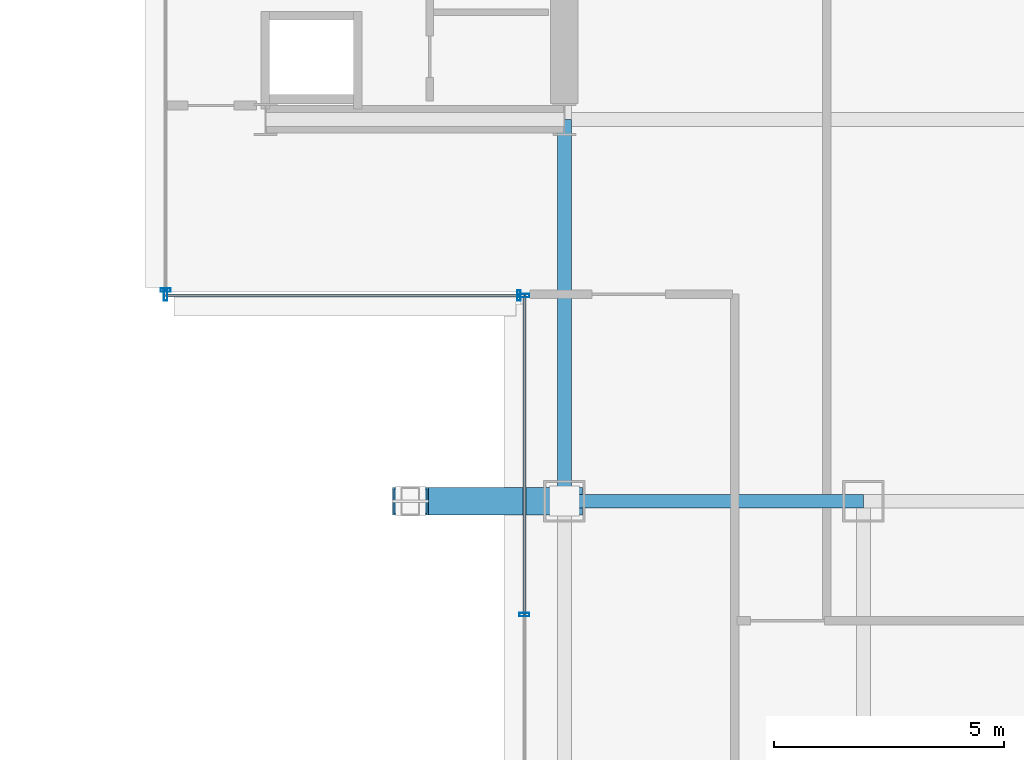
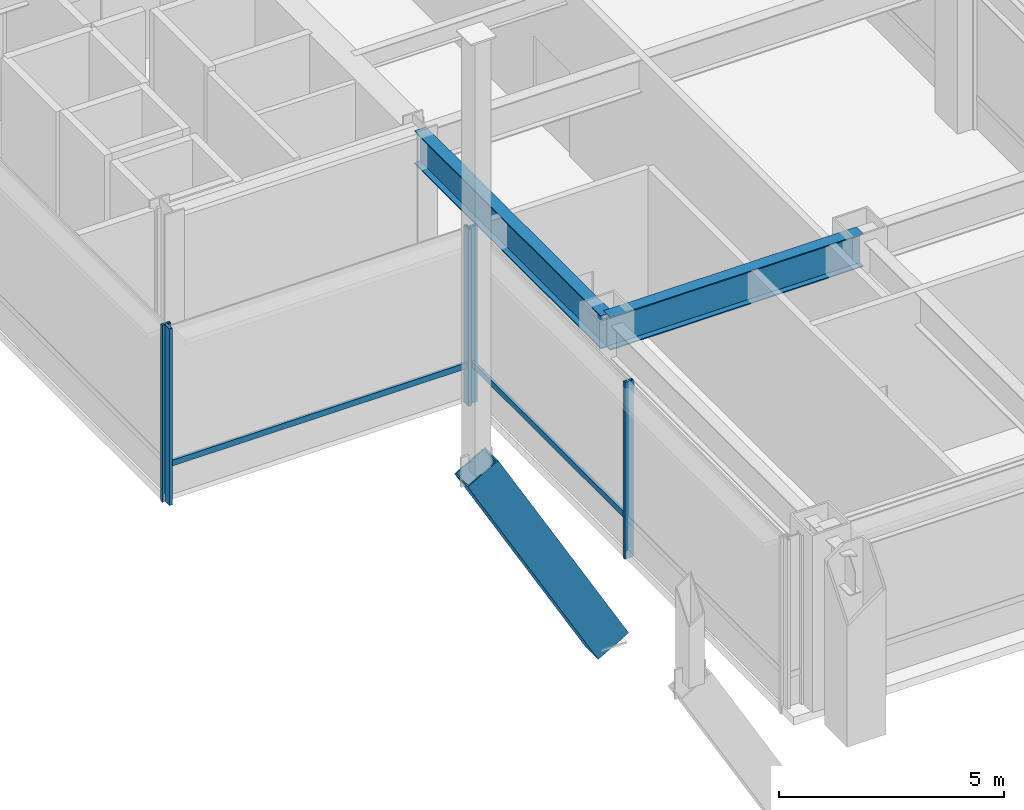
# One storey, part 10 of 40: 8 members, 2 beams, 3 elements without a shape of their own.
"""IFC4 building model written with IfcOpenShell, lengths in metres."""

from ifc_helpers import new_model, si_unit, direction, frame, origin, origin_2d, place, context, subcontext, project, spatial, hollow_rectangle, i_section, extrude, material, layer, layer_set, material_profile, profile_set, type_object, element, aggregate, save


model = new_model("IFC4")

# Units and contexts
model_context = context("Model", 3, precision=1e-05, world=origin(), true_north=direction((0.0, 1.0)))
body_context = subcontext(model_context, "Body", "Model", "MODEL_VIEW")
ifc_project = project(units=[si_unit("LENGTHUNIT", "METRE"), si_unit("AREAUNIT", "SQUARE_METRE"), si_unit("VOLUMEUNIT", "CUBIC_METRE"), si_unit("PLANEANGLEUNIT", "RADIAN"), si_unit("MASSUNIT", "GRAM", prefix="KILO")], contexts=[model_context])

# Site, building, storey
site_placement = place(None, origin())
site = spatial("IfcSite", under=ifc_project, at=site_placement, CompositionType="ELEMENT")
building_placement = place(site_placement, origin())
building = spatial("IfcBuilding", under=site, at=building_placement, Name="Brelmoor Portico Tower", CompositionType="ELEMENT")
storey_placement = place(building_placement, frame((0.0, 0.0, 4.800048828125)))
storey = spatial("IfcBuildingStorey", under=building, at=storey_placement, Name="L01", CompositionType="ELEMENT", Elevation=4.800048828125)

# Beams
ifc_material_1 = material(Name="Steel Q355B", Category="steel")
ifc_material_profile_1 = material_profile(ifc_material_1, i_section(OverallWidth=0.300048828125, OverallDepth=0.89990234375, WebThickness=0.01611328125, FlangeThickness=0.028076171875, at=origin_2d()), Name="HN 900x300x16x28")
ifc_profile_set_1 = profile_set([ifc_material_profile_1], Name="Steel Q355B")
beam_type = type_object("IfcBeamType", Name="BM-PG-900", PredefinedType="BEAM", material=ifc_profile_set_1)
beam_1_placement = place(storey_placement, frame((14.550048828125, -18.050048828125, 4.1298828125), z_axis=(0.0, 1.0, 0.0), x_axis=(-1.0, 0.0, 0.0)))
element("IfcBeam", 1, at=beam_1_placement, inside=storey, type_object=beam_type, Name="L01 Primary Floor Girder PG-13", PredefinedType="BEAM", context=body_context, shape_type="SweptSolid", body=[
    extrude(i_section(OverallWidth=0.300048828125, OverallDepth=0.89990234375, WebThickness=0.01611328125, FlangeThickness=0.028076171875, at=origin_2d()), origin(), (0.0, 0.0, 1.0), 8.300048828125),
])
beam_2_placement = place(storey_placement, frame((14.550048828125, -18.050048828125, 4.1298828125), z_axis=(1.0, 0.0, 0.0), x_axis=(0.0, 1.0, 0.0)))
element("IfcBeam", 2, at=beam_2_placement, inside=storey, type_object=beam_type, Name="L01 Primary Floor Girder PG-23", PredefinedType="BEAM", context=body_context, shape_type="SweptSolid", body=[
    extrude(i_section(OverallWidth=0.300048828125, OverallDepth=0.89990234375, WebThickness=0.01611328125, FlangeThickness=0.028076171875, at=origin_2d()), origin(), (0.0, 0.0, 1.0), 6.5),
])

# Member
ifc_material_2 = material(Name="Steel Q420B", Category="steel")
ifc_material_profile_2 = material_profile(ifc_material_2, hollow_rectangle(XDim=0.60009765625, YDim=0.89990234375, WallThickness=0.035888671875, at=origin_2d()), Name="RHS 600x900x36")
ifc_profile_set_2 = profile_set([ifc_material_profile_2], Name="Steel Q420B")
member_type_1 = type_object("IfcMemberType", Name="MB-ARCH-RIB", PredefinedType="CHORD", material=ifc_profile_set_2)
member_1_placement = place(storey_placement, frame((11.199951171875, -18.050048828125, 1.599853515625), z_axis=(0.496957759354, 0.0, -0.867774731954), x_axis=(0.0, 1.0, 0.0)))
element("IfcMember", 3, at=member_1_placement, inside=storey, type_object=member_type_1, Name="Giant Portico Arch Rib S2-8", PredefinedType="CHORD", context=body_context, shape_type="SweptSolid", body=[
    extrude(hollow_rectangle(XDim=0.60009765625, YDim=0.89990234375, WallThickness=0.035888671875, at=origin_2d()), origin(), (0.0, 0.0, 1.0), 6.7412109375),
])

# Curtain wall, members
ifc_material_3 = material(Name="Anodised Aluminium Alloy 6063-T6", Category="aluminium")
ifc_layer = layer(ifc_material_3, 0.179931640625)
ifc_layer_set = layer_set([ifc_layer], Name="Anodised Aluminium Alloy 6063-T6")
curtain_wall_type = type_object("IfcCurtainWallType", Name="CW-PODIUM-ARCH", PredefinedType="NOTDEFINED", material=ifc_layer_set)
curtain_wall_1_placement = place(storey_placement, origin())
curtain_wall_1 = element("IfcCurtainWall", 4, at=curtain_wall_1_placement, inside=storey, type_object=curtain_wall_type, Name="L01 Curtain Wall CW-L01-08", PredefinedType="NOTDEFINED")
ifc_material_profile_3 = material_profile(ifc_material_3, hollow_rectangle(XDim=0.074951171875, YDim=0.219970703125, WallThickness=0.0048828125, at=origin_2d()), Name="ALU MULLION 75x220")
ifc_profile_set_3 = profile_set([ifc_material_profile_3], Name="Anodised Aluminium Alloy 6063-T6")
member_type_2 = type_object("IfcMemberType", Name="MB-CW-MULL-220", PredefinedType="MULLION", material=ifc_profile_set_3)
member_2_placement = place(storey_placement, frame((13.679931640625, -20.514892578125, -0.219970703125), z_axis=(0.0, 0.0, 1.0), x_axis=(0.0, 1.0, 0.0)))
member_2 = element("IfcMember", 5, at=member_2_placement, type_object=member_type_2, Name="CW-L01-08 Mullion 01", PredefinedType="MULLION", context=body_context, shape_type="SweptSolid", body=[
    extrude(hollow_rectangle(XDim=0.074951171875, YDim=0.219970703125, WallThickness=0.0048828125, at=origin_2d()), origin(), (0.0, 0.0, 1.0), 4.7998046875),
])
member_3_placement = place(storey_placement, frame((13.679931640625, -13.580078125, -0.219970703125), z_axis=(0.0, 0.0, 1.0), x_axis=(0.0, 1.0, 0.0)))
member_3 = element("IfcMember", 6, at=member_3_placement, type_object=member_type_2, Name="CW-L01-08 Mullion 02", PredefinedType="MULLION", context=body_context, shape_type="SweptSolid", body=[
    extrude(hollow_rectangle(XDim=0.074951171875, YDim=0.219970703125, WallThickness=0.0048828125, at=origin_2d()), origin(), (0.0, 0.0, 1.0), 4.7998046875),
])

curtain_wall_2_placement = place(storey_placement, origin())
curtain_wall_2 = element("IfcCurtainWall", 7, at=curtain_wall_2_placement, inside=storey, type_object=curtain_wall_type, Name="L01 Curtain Wall CW-L01-12", PredefinedType="NOTDEFINED")
member_4_placement = place(storey_placement, frame((5.8798828125, -13.580078125, -0.219970703125), z_axis=(0.0, 0.0, 1.0), x_axis=(1.0, 0.0, 0.0)))
member_4 = element("IfcMember", 8, at=member_4_placement, type_object=member_type_2, Name="CW-L01-12 Mullion 00", PredefinedType="MULLION", context=body_context, shape_type="SweptSolid", body=[
    extrude(hollow_rectangle(XDim=0.074951171875, YDim=0.219970703125, WallThickness=0.0048828125, at=origin_2d()), origin(), (0.0, 0.0, 1.0), 4.7998046875),
])
member_5_placement = place(storey_placement, frame((13.56005859375, -13.580078125, -0.219970703125), z_axis=(0.0, 0.0, 1.0), x_axis=(1.0, 0.0, 0.0)))
member_5 = element("IfcMember", 9, at=member_5_placement, type_object=member_type_2, Name="CW-L01-12 Mullion 01", PredefinedType="MULLION", context=body_context, shape_type="SweptSolid", body=[
    extrude(hollow_rectangle(XDim=0.074951171875, YDim=0.219970703125, WallThickness=0.0048828125, at=origin_2d()), origin(), (0.0, 0.0, 1.0), 4.7998046875),
])

# Curtain wall, member
curtain_wall_3_placement = place(storey_placement, origin())
curtain_wall_3 = element("IfcCurtainWall", 10, at=curtain_wall_3_placement, inside=storey, type_object=curtain_wall_type, Name="L01 Curtain Wall CW-L01-16", PredefinedType="NOTDEFINED")
member_6_placement = place(storey_placement, frame((5.8798828125, -13.4599609375, -0.219970703125), z_axis=(0.0, 0.0, 1.0), x_axis=(0.0, 1.0, 0.0)))
member_6 = element("IfcMember", 11, at=member_6_placement, type_object=member_type_2, Name="CW-L01-16 Mullion 00", PredefinedType="MULLION", context=body_context, shape_type="SweptSolid", body=[
    extrude(hollow_rectangle(XDim=0.074951171875, YDim=0.219970703125, WallThickness=0.0048828125, at=origin_2d()), origin(), (0.0, 0.0, 1.0), 4.7998046875),
])
aggregate(curtain_wall_3, [member_6])

# Member
ifc_material_profile_4 = material_profile(ifc_material_3, hollow_rectangle(XDim=0.070068359375, YDim=0.159912109375, WallThickness=0.00390625, at=origin_2d()), Name="ALU TRANSOM 70x160")
ifc_profile_set_4 = profile_set([ifc_material_profile_4], Name="Anodised Aluminium Alloy 6063-T6")
member_type_3 = type_object("IfcMemberType", Name="MB-CW-TRAN-160", PredefinedType="USERDEFINED", material=ifc_profile_set_4)
member_7_placement = place(storey_placement, frame((13.679931640625, -20.514892578125, 0.849853515625), z_axis=(0.0, 1.0, 0.0), x_axis=(-1.0, 0.0, 0.0)))
member_7 = element("IfcMember", 12, at=member_7_placement, type_object=member_type_3, Name="CW-L01-08 Transom 1-01", ObjectType="TRANSOM", PredefinedType="USERDEFINED", context=body_context, shape_type="SweptSolid", body=[
    extrude(hollow_rectangle(XDim=0.070068359375, YDim=0.159912109375, WallThickness=0.00390625, at=origin_2d()), origin(), (0.0, 0.0, 1.0), 6.934814453125),
])

aggregate(curtain_wall_1, [member_2, member_3, member_7])

member_8_placement = place(storey_placement, frame((5.8798828125, -13.580078125, 0.849853515625), z_axis=(1.0, 0.0, 0.0), x_axis=(0.0, 1.0, 0.0)))
member_8 = element("IfcMember", 13, at=member_8_placement, type_object=member_type_3, Name="CW-L01-12 Transom 1-00", ObjectType="TRANSOM", PredefinedType="USERDEFINED", context=body_context, shape_type="SweptSolid", body=[
    extrude(hollow_rectangle(XDim=0.070068359375, YDim=0.159912109375, WallThickness=0.00390625, at=origin_2d()), origin(), (0.0, 0.0, 1.0), 7.800048828125),
])

aggregate(curtain_wall_2, [member_4, member_5, member_8])

save(model, "model.ifc")
